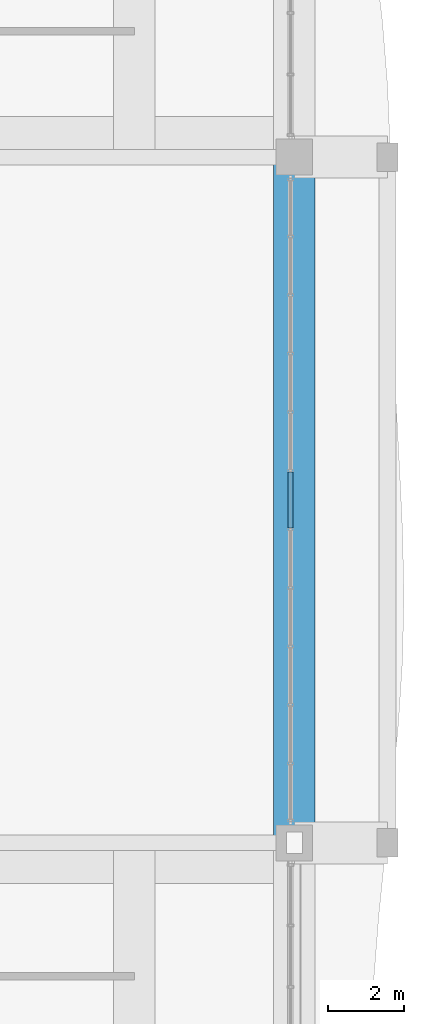
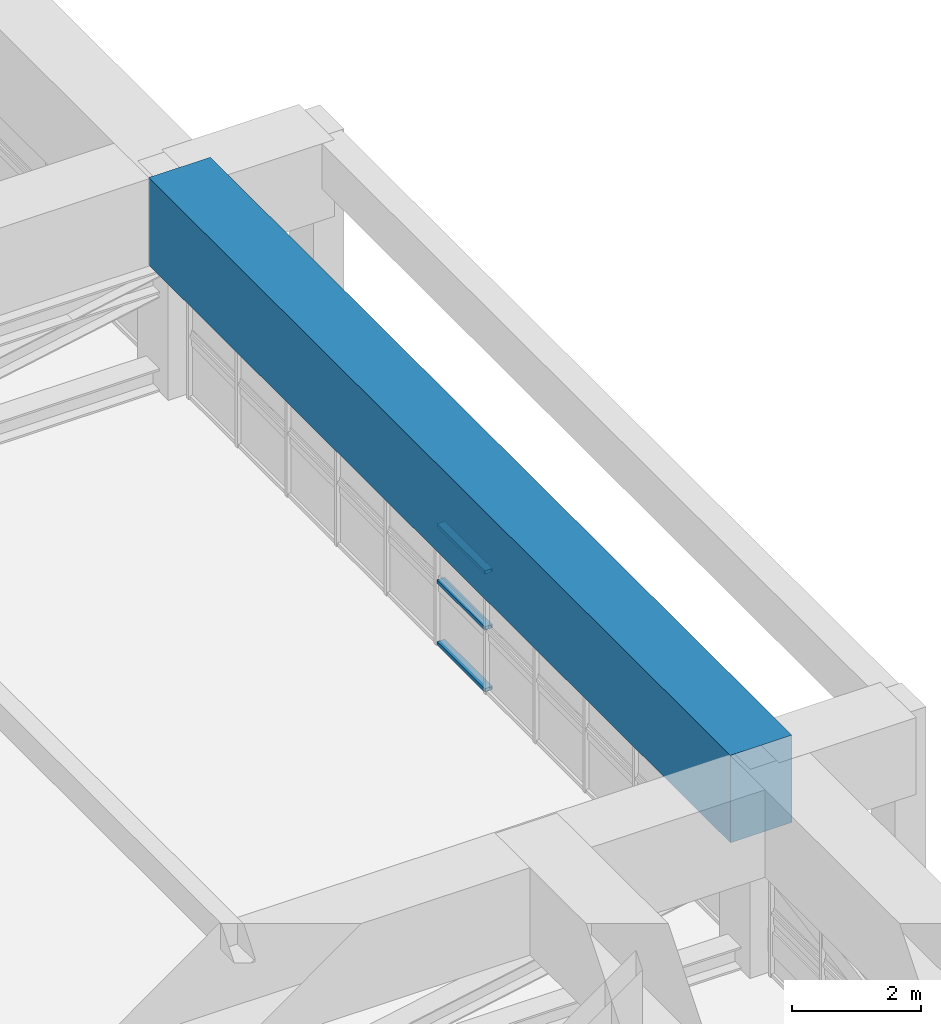
# One storey, part 16 of 35: 3 members, 1 beam, 1 element without a shape of its own.
"""IFC4 building model written with IfcOpenShell, lengths in metres."""

from ifc_helpers import new_model, si_unit, direction, frame, origin, origin_2d, place, context, subcontext, project, spatial, rectangle, hollow_rectangle, extrude, source, transform, mapped, material, layer, layer_set, material_profile, profile_set, type_object, element, aggregate, save


model = new_model("IFC4")

# Units and contexts
model_context = context("Model", 3, precision=1e-05, world=origin(), true_north=direction((0.0, 1.0)))
body_context = subcontext(model_context, "Body", "Model", "MODEL_VIEW")
ifc_project = project(units=[si_unit("LENGTHUNIT", "METRE"), si_unit("AREAUNIT", "SQUARE_METRE"), si_unit("VOLUMEUNIT", "CUBIC_METRE"), si_unit("PLANEANGLEUNIT", "RADIAN"), si_unit("MASSUNIT", "GRAM", prefix="KILO")], contexts=[model_context])

# Site, building, storey
site_placement = place(None, origin())
site = spatial("IfcSite", under=ifc_project, at=site_placement, CompositionType="ELEMENT")
building_placement = place(site_placement, origin())
building = spatial("IfcBuilding", under=site, at=building_placement, Name="Saelheon Loggia Tower", CompositionType="ELEMENT")
storey_placement = place(building_placement, frame((0.0, 0.0, 144.75)))
storey = spatial("IfcBuildingStorey", under=building, at=storey_placement, Name="L46", CompositionType="ELEMENT", Elevation=144.75)

# Beam
ifc_material_1 = material(Name="Concrete C50/60", Category="concrete")
ifc_material_profile_1 = material_profile(ifc_material_1, rectangle(XDim=1.10009765625, YDim=1.64990234375, at=origin_2d()), Name="RC-1100x1650")
ifc_profile_set_1 = profile_set([ifc_material_profile_1], Name="Concrete C50/60")
beam_type = type_object("IfcBeamType", Name="Beam_PerimMega_RC1100x1650", PredefinedType="BEAM", material=ifc_profile_set_1)
shared_shape_1 = source(origin(), body_context, "Body", "SweptSolid", [
    extrude(rectangle(XDim=1.10009765625, YDim=1.64990234375, at=origin_2d()), origin(), (0.0, 0.0, 1.0), 18.0),
])
beam_placement = place(storey_placement, frame((64.0, 18.0, 3.125), z_axis=(0.0, 1.0, 0.0), x_axis=(-1.0, 0.0, 0.0)))
element("IfcBeam", 1, at=beam_placement, inside=storey, type_object=beam_type, Name="L46 Perimeter Frame Girder 06", PredefinedType="BEAM", context=body_context, shape_type="MappedRepresentation", body=[
    mapped(shared_shape_1, transform((0.0, 0.0, 0.0), scale=1.0)),
])

# Curtain wall, members
ifc_material_2 = material(Name="Anodised Aluminium Acoustic Louvre Curtain Wall", Category="aluminium")
ifc_layer = layer(ifc_material_2, 0.179931640625)
ifc_layer_set = layer_set([ifc_layer], Name="Anodised Aluminium Acoustic Louvre Curtain Wall")
curtain_wall_type = type_object("IfcCurtainWallType", Name="CW_RefugeAcoustic", PredefinedType="NOTDEFINED", material=ifc_layer_set)
curtain_wall_placement = place(storey_placement, origin())
curtain_wall = element("IfcCurtainWall", 2, at=curtain_wall_placement, inside=storey, type_object=curtain_wall_type, Name="L46 E Refuge Acoustic Curtain Wall 2", PredefinedType="NOTDEFINED")
ifc_material_3 = material(Name="Anodised Aluminium 6063-T6", Category="aluminium")
ifc_material_profile_2 = material_profile(ifc_material_3, hollow_rectangle(XDim=0.06494140625, YDim=0.139892578125, WallThickness=0.00390625, at=origin_2d()), Name="RHS-140x65x4")
ifc_profile_set_2 = profile_set([ifc_material_profile_2], Name="Anodised Aluminium 6063-T6")
member_type = type_object("IfcMemberType", Name="CW_RefugeAcoustic_Transom", PredefinedType="USERDEFINED", material=ifc_profile_set_2)
shared_shape_2 = source(origin(), body_context, "Body", "SweptSolid", [
    extrude(hollow_rectangle(XDim=0.06494140625, YDim=0.139892578125, WallThickness=0.00390625, at=origin_2d()), origin(), (0.0, 0.0, 1.0), 1.47119140625),
])
member_1_placement = place(storey_placement, frame((63.89990234375, 26.264404296875, 0.032470703125), z_axis=(0.0, 1.0, 0.0), x_axis=(0.0, 0.0, 1.0)))
member_1 = element("IfcMember", 3, at=member_1_placement, type_object=member_type, Name="CW5 transom 6.1", ObjectType="TRANSOM", PredefinedType="USERDEFINED", context=body_context, shape_type="MappedRepresentation", body=[
    mapped(shared_shape_2, transform((0.0, 0.0, 0.0), scale=1.0)),
])
member_2_placement = place(storey_placement, frame((63.89990234375, 26.264404296875, 1.199951171875), z_axis=(0.0, 1.0, 0.0), x_axis=(0.0, 0.0, 1.0)))
member_2 = element("IfcMember", 4, at=member_2_placement, type_object=member_type, Name="CW5 transom 6.2", ObjectType="TRANSOM", PredefinedType="USERDEFINED", context=body_context, shape_type="MappedRepresentation", body=[
    mapped(shared_shape_2, transform((0.0, 0.0, 0.0), scale=1.0)),
])
member_3_placement = place(storey_placement, frame((63.89990234375, 26.264404296875, 2.257568359375), z_axis=(0.0, 1.0, 0.0), x_axis=(0.0, 0.0, 1.0)))
member_3 = element("IfcMember", 5, at=member_3_placement, type_object=member_type, Name="CW5 transom 6.3", ObjectType="TRANSOM", PredefinedType="USERDEFINED", context=body_context, shape_type="MappedRepresentation", body=[
    mapped(shared_shape_2, transform((0.0, 0.0, 0.0), scale=1.0)),
])
aggregate(curtain_wall, [member_1, member_2, member_3])

save(model, "model.ifc")
